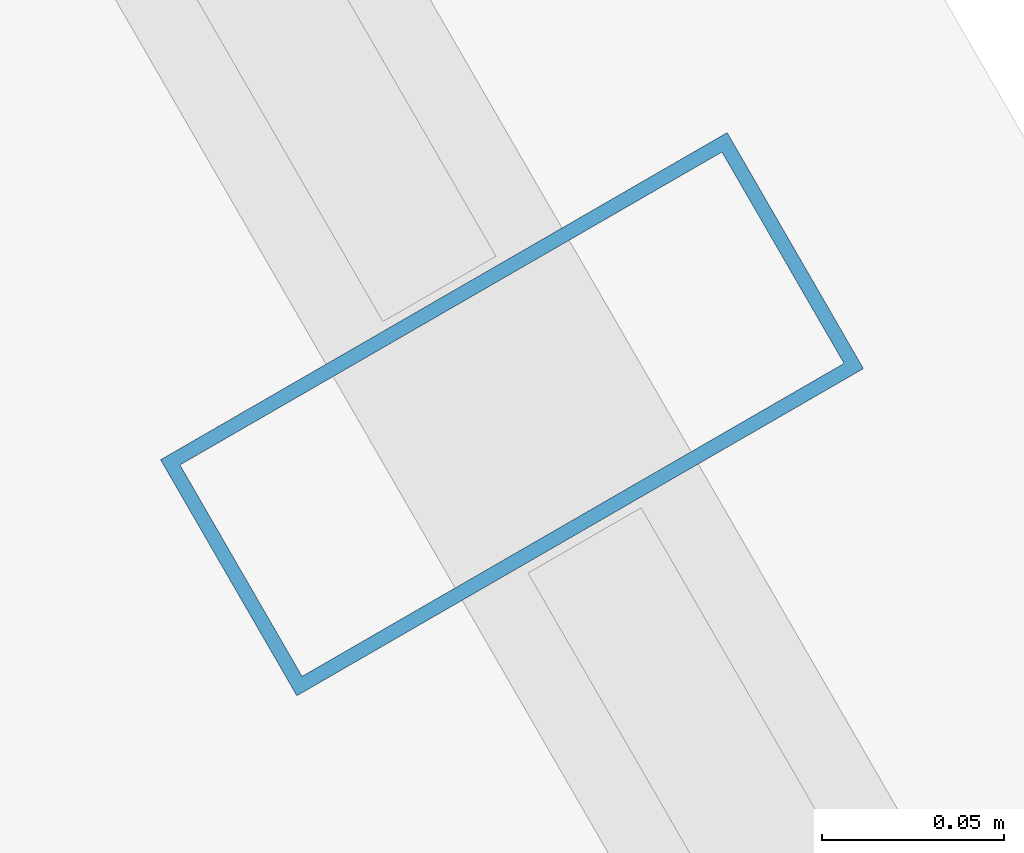
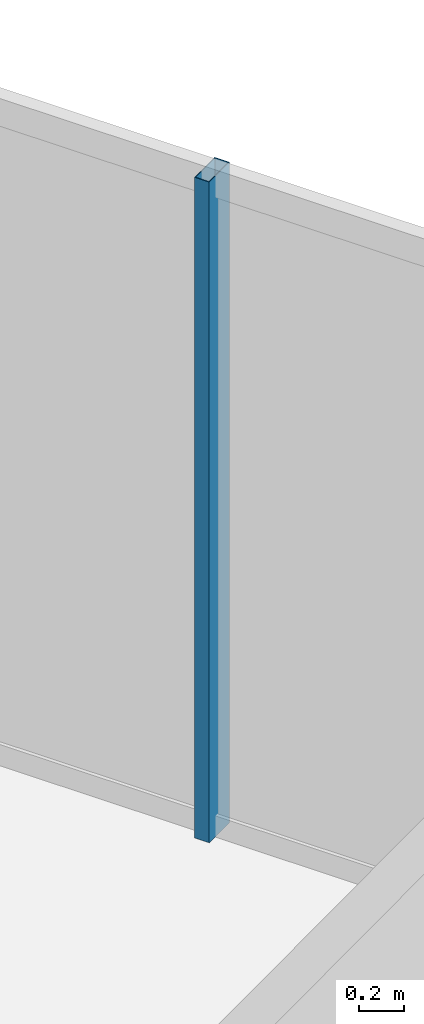
# One storey, part 24 of 32: 1 member, 1 element without a shape of its own.
"""IFC4 building model written with IfcOpenShell, lengths in metres."""

from ifc_helpers import new_model, si_unit, direction, frame, origin, origin_2d, place, context, subcontext, project, spatial, hollow_rectangle, extrude, material, layer, layer_set, material_profile, profile_set, type_object, element, aggregate, save


model = new_model("IFC4")

# Units and contexts
model_context = context("Model", 3, precision=1e-05, world=origin(), true_north=direction((0.0, 1.0)))
body_context = subcontext(model_context, "Body", "Model", "MODEL_VIEW")
ifc_project = project(units=[si_unit("LENGTHUNIT", "METRE"), si_unit("AREAUNIT", "SQUARE_METRE"), si_unit("VOLUMEUNIT", "CUBIC_METRE"), si_unit("PLANEANGLEUNIT", "RADIAN"), si_unit("MASSUNIT", "GRAM", prefix="KILO")], contexts=[model_context])

# Site, building, storey
site_placement = place(None, origin())
site = spatial("IfcSite", under=ifc_project, at=site_placement, CompositionType="ELEMENT")
building_placement = place(site_placement, origin())
building = spatial("IfcBuilding", under=site, at=building_placement, Name="Ndaravel Arena Tower", CompositionType="ELEMENT")
storey_placement = place(building_placement, frame((0.0, 0.0, 287.10009765625)))
storey = spatial("IfcBuildingStorey", under=building, at=storey_placement, Name="L70", CompositionType="ELEMENT", Elevation=287.10009765625)

# Curtain wall, member
ifc_material_1 = material(Name="Aluminium", Category="aluminium")
ifc_layer = layer(ifc_material_1, 0.179931640625)
ifc_layer_set = layer_set([ifc_layer], Name="Aluminium")
curtain_wall_type = type_object("IfcCurtainWallType", Name="CW-SYS-03", PredefinedType="NOTDEFINED", material=ifc_layer_set)
curtain_wall_placement = place(storey_placement, origin())
curtain_wall = element("IfcCurtainWall", 1, at=curtain_wall_placement, inside=storey, type_object=curtain_wall_type, Name="L70 Faceted Crystal Curtain Wall CW-L70-E03", PredefinedType="NOTDEFINED")
ifc_material_2 = material(Name="Aluminium", Category="aluminium")
ifc_material_profile = material_profile(ifc_material_2, hollow_rectangle(XDim=0.074951171875, YDim=0.179931640625, WallThickness=0.00390625, at=origin_2d()), Name="CW MULLION 75x180x4")
ifc_profile_set = profile_set([ifc_material_profile], Name="Aluminium")
member_type = type_object("IfcMemberType", Name="MEM-CW-MUL180", PredefinedType="MULLION", material=ifc_profile_set)
member_placement = place(storey_placement, frame((53.1767578125, 28.374755859375, 0.0), z_axis=(0.0, 0.0, 1.0), x_axis=(-0.5, 0.866025403784, 0.0)))
member = element("IfcMember", 2, at=member_placement, type_object=member_type, Name="CW-L70-E03 Mullion 05", PredefinedType="MULLION", context=body_context, shape_type="SweptSolid", body=[
    extrude(hollow_rectangle(XDim=0.074951171875, YDim=0.179931640625, WallThickness=0.00390625, at=origin_2d()), origin(), (0.0, 0.0, 1.0), 3.579833984375),
])
aggregate(curtain_wall, [member])

save(model, "model.ifc")
